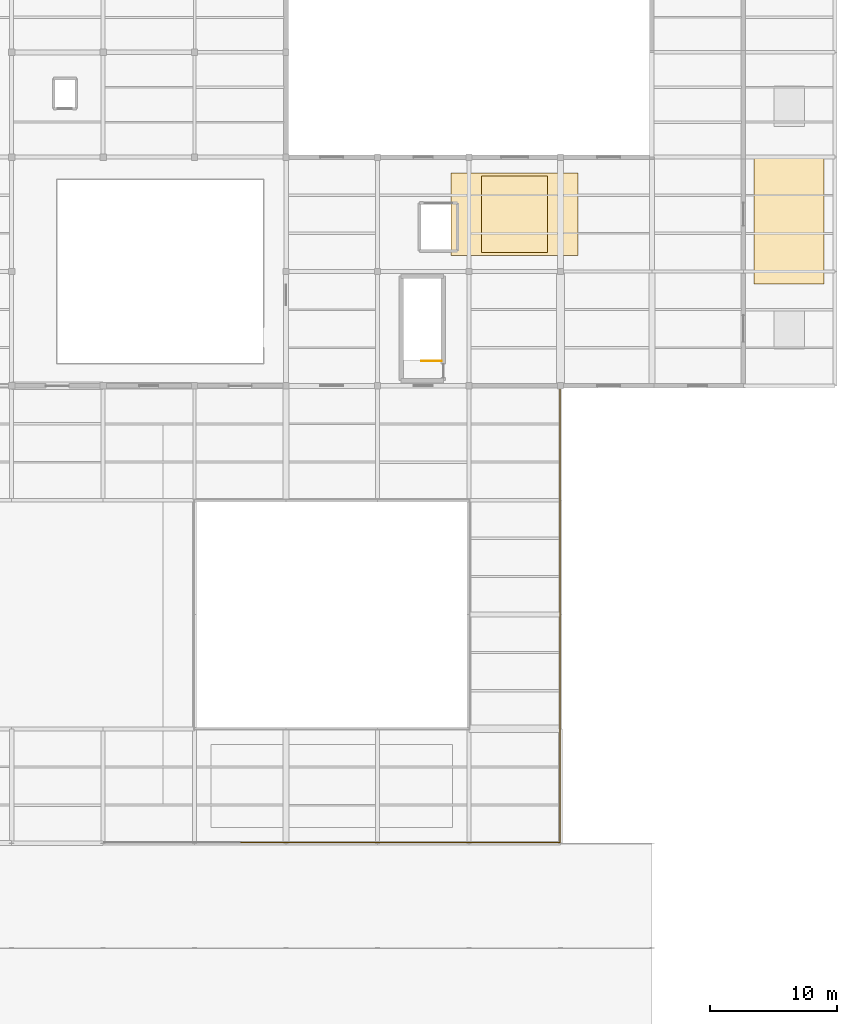
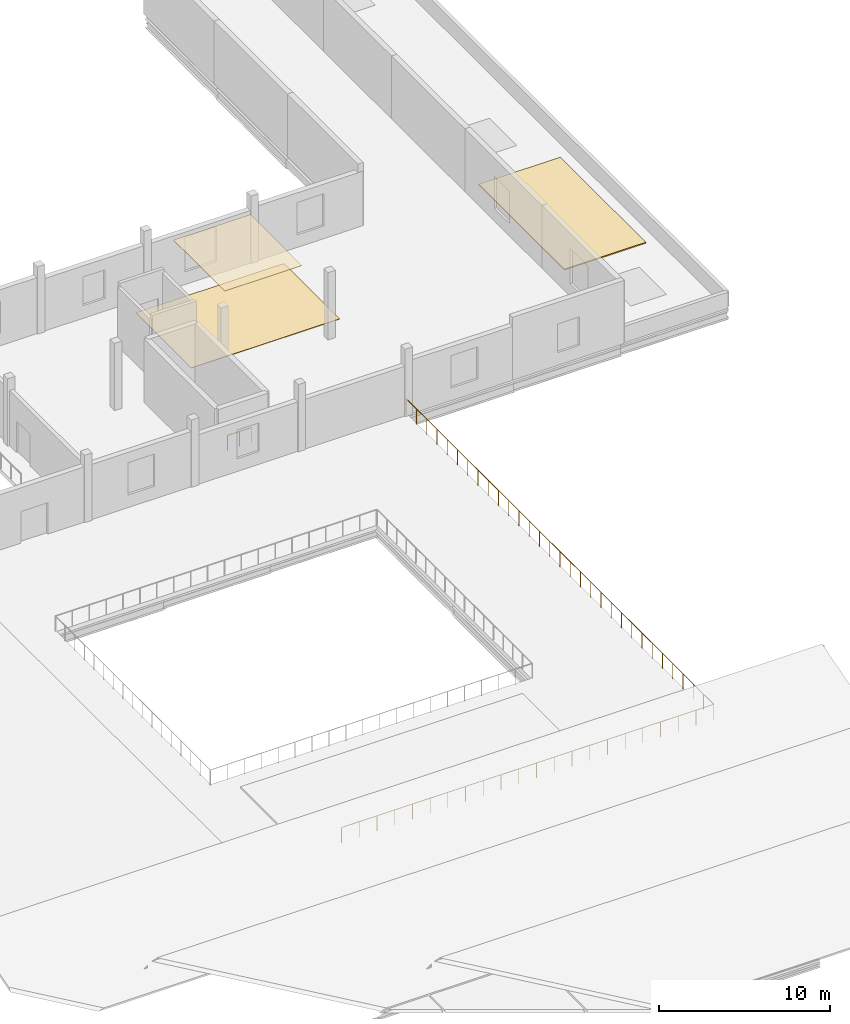
# One storey, part 54 of 54: 3 coverings, 2 railings.
"""IFC4 building model written with IfcOpenShell, lengths in metres."""

from ifc_helpers import new_model, si_unit, direction, frame, origin, origin_2d, place, context, subcontext, project, spatial, rectangle, circle, extrude, material, layer, layer_set, type_object, element, save


model = new_model("IFC4")

# Units and contexts
model_context = context("Model", 3, precision=1e-05, world=origin(), true_north=direction((0.0, 1.0)))
body_context = subcontext(model_context, "Body", "Model", "MODEL_VIEW")
ifc_project = project(units=[si_unit("LENGTHUNIT", "METRE"), si_unit("AREAUNIT", "SQUARE_METRE"), si_unit("VOLUMEUNIT", "CUBIC_METRE"), si_unit("PLANEANGLEUNIT", "RADIAN"), si_unit("MASSUNIT", "GRAM", prefix="KILO")], contexts=[model_context])

# Site, building, storey
site_placement = place(None, origin())
site = spatial("IfcSite", under=ifc_project, at=site_placement, CompositionType="ELEMENT")
building_placement = place(site_placement, origin())
building = spatial("IfcBuilding", under=site, at=building_placement, Name="Sundgate Opera House", CompositionType="ELEMENT")
storey_placement = place(building_placement, frame((0.0, 0.0, 16.800048828125)))
storey = spatial("IfcBuildingStorey", under=building, at=storey_placement, Name="L03", CompositionType="ELEMENT", Elevation=16.800048828125)

# Coverings
ifc_material_1 = material(Name="Acoustic gypsum plasterboard ceiling", Category="gypsum")
ifc_layer_1 = layer(ifc_material_1, 0.034912109375)
ifc_layer_set_1 = layer_set([ifc_layer_1], Name="Acoustic gypsum plasterboard ceiling")
covering_type_1 = type_object("IfcCoveringType", Name="CV-CEIL-GYP", PredefinedType="CEILING", material=ifc_layer_set_1)
covering_1_placement = place(storey_placement, frame((142.199951171875, 82.5, 4.48486328125), z_axis=(0.0, 0.0, 1.0), x_axis=(1.0, 0.0, 0.0)))
element("IfcCovering", 1, at=covering_1_placement, inside=storey, type_object=covering_type_1, Name="L03 Acoustic Ceiling CV0133", PredefinedType="CEILING", context=body_context, shape_type="SweptSolid", body=[
    extrude(rectangle(XDim=5.199951171875, YDim=6.0, at=origin_2d()), origin(), (0.0, 0.0, 1.0), 0.034912109375),
])
ifc_material_2 = material(Name="Sprung European oak stage and ballet floor", Category="wood")
ifc_layer_2 = layer(ifc_material_2, 0.030029296875)
ifc_layer_set_2 = layer_set([ifc_layer_2], Name="Sprung European oak stage and ballet floor")
covering_type_2 = type_object("IfcCoveringType", Name="CV-FLR-SPRUNG", PredefinedType="FLOORING", material=ifc_layer_set_2)
covering_2_placement = place(storey_placement, frame((142.199951171875, 82.5, 0.0), z_axis=(0.0, 0.0, 1.0), x_axis=(1.0, 0.0, 0.0)))
element("IfcCovering", 2, at=covering_2_placement, inside=storey, type_object=covering_type_2, Name="L03 Floor Finish CV0144", PredefinedType="FLOORING", context=body_context, shape_type="SweptSolid", body=[
    extrude(rectangle(XDim=10.0, YDim=6.5, at=origin_2d()), origin(), (0.0, 0.0, 1.0), 0.030029296875),
])
ifc_material_3 = material(Name="Glazed stoneware roof tile and waterproof membrane", Category="masonry")
ifc_layer_3 = layer(ifc_material_3, 0.080078125)
ifc_layer_set_3 = layer_set([ifc_layer_3], Name="Glazed stoneware roof tile and waterproof membrane")
covering_type_3 = type_object("IfcCoveringType", Name="CV-ROOF-CERAMIC", PredefinedType="ROOFING", material=ifc_layer_set_3)
covering_3_placement = place(storey_placement, frame((163.800048828125, 82.0, 0.0), z_axis=(0.0, 0.0, 1.0), x_axis=(1.0, 0.0, 0.0)))
element("IfcCovering", 3, at=covering_3_placement, inside=storey, type_object=covering_type_3, Name="L03 Roof Covering CV0122", PredefinedType="ROOFING", context=body_context, shape_type="SweptSolid", body=[
    extrude(rectangle(XDim=5.5, YDim=10.0, at=origin_2d()), origin(), (0.0, 0.0, 1.0), 0.080078125),
])

# Railings
ifc_material_4 = material(Name="Painted steel S275 guardrail", Category="steel")
railing_type_1 = type_object("IfcRailingType", Name="RL-STAIR-GUARD-1100", PredefinedType="GUARDRAIL", material=ifc_material_4)
railing_1_placement = place(storey_placement, frame((136.449951171875, 70.949951171875, 0.0)))
element("IfcRailing", 4, at=railing_1_placement, inside=storey, type_object=railing_type_1, Name="ST-06 Top Well Guardrail RL0231", PredefinedType="GUARDRAIL", context=body_context, shape_type="SweptSolid", body=[
    extrude(circle(Radius=0.02392578125, at=origin_2d()), frame((0.0, 0.0, 1.076171875), z_axis=(-1.0, 0.0, 0.0), x_axis=(0.0, -1.0, 0.0)), (0.0, 0.0, 1.0), 1.599853515625),
    extrude(circle(Radius=0.02099609375, at=origin_2d()), origin(), (0.0, 0.0, 1.0), 1.052001953125),
    extrude(circle(Radius=0.02099609375, at=origin_2d()), frame((-0.7998046875, 0.0, 0.0)), (0.0, 0.0, 1.0), 1.052001953125),
    extrude(circle(Radius=0.02099609375, at=origin_2d()), frame((-1.599853515625, 0.0, 0.0)), (0.0, 0.0, 1.0), 1.052001953125),
])
ifc_material_5 = material(Name="Patinated bronze guardrail", Category="steel")
railing_type_2 = type_object("IfcRailingType", Name="RL-TERR-GUARD-1100", PredefinedType="GUARDRAIL", material=ifc_material_5)
railing_2_placement = place(storey_placement, frame((120.64990234375, 33.050048828125, 0.0)))
element("IfcRailing", 5, at=railing_2_placement, inside=storey, type_object=railing_type_2, Name="L03 Studio Roof Garden Guardrail RL0007", PredefinedType="GUARDRAIL", context=body_context, shape_type="SweptSolid", body=[
    extrude(circle(Radius=0.02392578125, at=origin_2d()), frame((0.0, 0.0, 1.076171875), z_axis=(1.0, 0.0, 0.0), x_axis=(0.0, 1.0, 0.0)), (0.0, 0.0, 1.0), 25.10009765625),
    extrude(circle(Radius=0.02392578125, at=origin_2d()), frame((25.10009765625, 0.0, 1.076171875), z_axis=(0.0, 1.0, 0.0), x_axis=(-1.0, 0.0, 0.0)), (0.0, 0.0, 1.0), 35.89990234375),
    extrude(circle(Radius=0.02099609375, at=origin_2d()), origin(), (0.0, 0.0, 1.0), 1.052001953125),
    extrude(circle(Radius=0.02099609375, at=origin_2d()), frame((1.1953125, 0.0, 0.0)), (0.0, 0.0, 1.0), 1.052001953125),
    extrude(circle(Radius=0.02099609375, at=origin_2d()), frame((2.390380859375, 0.0, 0.0)), (0.0, 0.0, 1.0), 1.052001953125),
    extrude(circle(Radius=0.02099609375, at=origin_2d()), frame((3.585693359375, 0.0, 0.0)), (0.0, 0.0, 1.0), 1.052001953125),
    extrude(circle(Radius=0.02099609375, at=origin_2d()), frame((4.781005859375, 0.0, 0.0)), (0.0, 0.0, 1.0), 1.052001953125),
    extrude(circle(Radius=0.02099609375, at=origin_2d()), frame((5.976318359375, 0.0, 0.0)), (0.0, 0.0, 1.0), 1.052001953125),
    extrude(circle(Radius=0.02099609375, at=origin_2d()), frame((7.17138671875, 0.0, 0.0)), (0.0, 0.0, 1.0), 1.052001953125),
    extrude(circle(Radius=0.02099609375, at=origin_2d()), frame((8.36669921875, 0.0, 0.0)), (0.0, 0.0, 1.0), 1.052001953125),
    extrude(circle(Radius=0.02099609375, at=origin_2d()), frame((9.56201171875, 0.0, 0.0)), (0.0, 0.0, 1.0), 1.052001953125),
    extrude(circle(Radius=0.02099609375, at=origin_2d()), frame((10.757080078125, 0.0, 0.0)), (0.0, 0.0, 1.0), 1.052001953125),
    extrude(circle(Radius=0.02099609375, at=origin_2d()), frame((11.952392578125, 0.0, 0.0)), (0.0, 0.0, 1.0), 1.052001953125),
    extrude(circle(Radius=0.02099609375, at=origin_2d()), frame((13.147705078125, 0.0, 0.0)), (0.0, 0.0, 1.0), 1.052001953125),
    extrude(circle(Radius=0.02099609375, at=origin_2d()), frame((14.343017578125, 0.0, 0.0)), (0.0, 0.0, 1.0), 1.052001953125),
    extrude(circle(Radius=0.02099609375, at=origin_2d()), frame((15.5380859375, 0.0, 0.0)), (0.0, 0.0, 1.0), 1.052001953125),
    extrude(circle(Radius=0.02099609375, at=origin_2d()), frame((16.7333984375, 0.0, 0.0)), (0.0, 0.0, 1.0), 1.052001953125),
    extrude(circle(Radius=0.02099609375, at=origin_2d()), frame((17.9287109375, 0.0, 0.0)), (0.0, 0.0, 1.0), 1.052001953125),
    extrude(circle(Radius=0.02099609375, at=origin_2d()), frame((19.123779296875, 0.0, 0.0)), (0.0, 0.0, 1.0), 1.052001953125),
    extrude(circle(Radius=0.02099609375, at=origin_2d()), frame((20.319091796875, 0.0, 0.0)), (0.0, 0.0, 1.0), 1.052001953125),
    extrude(circle(Radius=0.02099609375, at=origin_2d()), frame((21.514404296875, 0.0, 0.0)), (0.0, 0.0, 1.0), 1.052001953125),
    extrude(circle(Radius=0.02099609375, at=origin_2d()), frame((22.709716796875, 0.0, 0.0)), (0.0, 0.0, 1.0), 1.052001953125),
    extrude(circle(Radius=0.02099609375, at=origin_2d()), frame((23.90478515625, 0.0, 0.0)), (0.0, 0.0, 1.0), 1.052001953125),
    extrude(circle(Radius=0.02099609375, at=origin_2d()), frame((25.10009765625, 0.0, 0.0)), (0.0, 0.0, 1.0), 1.052001953125),
    extrude(circle(Radius=0.02099609375, at=origin_2d()), frame((25.10009765625, 1.19677734375, 0.0)), (0.0, 0.0, 1.0), 1.052001953125),
    extrude(circle(Radius=0.02099609375, at=origin_2d()), frame((25.10009765625, 2.393310546875, 0.0)), (0.0, 0.0, 1.0), 1.052001953125),
    extrude(circle(Radius=0.02099609375, at=origin_2d()), frame((25.10009765625, 3.590087890625, 0.0)), (0.0, 0.0, 1.0), 1.052001953125),
    extrude(circle(Radius=0.02099609375, at=origin_2d()), frame((25.10009765625, 4.78662109375, 0.0)), (0.0, 0.0, 1.0), 1.052001953125),
    extrude(circle(Radius=0.02099609375, at=origin_2d()), frame((25.10009765625, 5.9833984375, 0.0)), (0.0, 0.0, 1.0), 1.052001953125),
    extrude(circle(Radius=0.02099609375, at=origin_2d()), frame((25.10009765625, 7.179931640625, 0.0)), (0.0, 0.0, 1.0), 1.052001953125),
    extrude(circle(Radius=0.02099609375, at=origin_2d()), frame((25.10009765625, 8.376708984375, 0.0)), (0.0, 0.0, 1.0), 1.052001953125),
    extrude(circle(Radius=0.02099609375, at=origin_2d()), frame((25.10009765625, 9.5732421875, 0.0)), (0.0, 0.0, 1.0), 1.052001953125),
    extrude(circle(Radius=0.02099609375, at=origin_2d()), frame((25.10009765625, 10.77001953125, 0.0)), (0.0, 0.0, 1.0), 1.052001953125),
    extrude(circle(Radius=0.02099609375, at=origin_2d()), frame((25.10009765625, 11.966552734375, 0.0)), (0.0, 0.0, 1.0), 1.052001953125),
    extrude(circle(Radius=0.02099609375, at=origin_2d()), frame((25.10009765625, 13.163330078125, 0.0)), (0.0, 0.0, 1.0), 1.052001953125),
    extrude(circle(Radius=0.02099609375, at=origin_2d()), frame((25.10009765625, 14.35986328125, 0.0)), (0.0, 0.0, 1.0), 1.052001953125),
    extrude(circle(Radius=0.02099609375, at=origin_2d()), frame((25.10009765625, 15.556640625, 0.0)), (0.0, 0.0, 1.0), 1.052001953125),
    extrude(circle(Radius=0.02099609375, at=origin_2d()), frame((25.10009765625, 16.753173828125, 0.0)), (0.0, 0.0, 1.0), 1.052001953125),
    extrude(circle(Radius=0.02099609375, at=origin_2d()), frame((25.10009765625, 17.949951171875, 0.0)), (0.0, 0.0, 1.0), 1.052001953125),
    extrude(circle(Radius=0.02099609375, at=origin_2d()), frame((25.10009765625, 19.146728515625, 0.0)), (0.0, 0.0, 1.0), 1.052001953125),
    extrude(circle(Radius=0.02099609375, at=origin_2d()), frame((25.10009765625, 20.34326171875, 0.0)), (0.0, 0.0, 1.0), 1.052001953125),
    extrude(circle(Radius=0.02099609375, at=origin_2d()), frame((25.10009765625, 21.5400390625, 0.0)), (0.0, 0.0, 1.0), 1.052001953125),
    extrude(circle(Radius=0.02099609375, at=origin_2d()), frame((25.10009765625, 22.736572265625, 0.0)), (0.0, 0.0, 1.0), 1.052001953125),
    extrude(circle(Radius=0.02099609375, at=origin_2d()), frame((25.10009765625, 23.933349609375, 0.0)), (0.0, 0.0, 1.0), 1.052001953125),
    extrude(circle(Radius=0.02099609375, at=origin_2d()), frame((25.10009765625, 25.1298828125, 0.0)), (0.0, 0.0, 1.0), 1.052001953125),
    extrude(circle(Radius=0.02099609375, at=origin_2d()), frame((25.10009765625, 26.32666015625, 0.0)), (0.0, 0.0, 1.0), 1.052001953125),
    extrude(circle(Radius=0.02099609375, at=origin_2d()), frame((25.10009765625, 27.523193359375, 0.0)), (0.0, 0.0, 1.0), 1.052001953125),
    extrude(circle(Radius=0.02099609375, at=origin_2d()), frame((25.10009765625, 28.719970703125, 0.0)), (0.0, 0.0, 1.0), 1.052001953125),
    extrude(circle(Radius=0.02099609375, at=origin_2d()), frame((25.10009765625, 29.91650390625, 0.0)), (0.0, 0.0, 1.0), 1.052001953125),
    extrude(circle(Radius=0.02099609375, at=origin_2d()), frame((25.10009765625, 31.11328125, 0.0)), (0.0, 0.0, 1.0), 1.052001953125),
    extrude(circle(Radius=0.02099609375, at=origin_2d()), frame((25.10009765625, 32.309814453125, 0.0)), (0.0, 0.0, 1.0), 1.052001953125),
    extrude(circle(Radius=0.02099609375, at=origin_2d()), frame((25.10009765625, 33.506591796875, 0.0)), (0.0, 0.0, 1.0), 1.052001953125),
    extrude(circle(Radius=0.02099609375, at=origin_2d()), frame((25.10009765625, 34.703125, 0.0)), (0.0, 0.0, 1.0), 1.052001953125),
    extrude(circle(Radius=0.02099609375, at=origin_2d()), frame((25.10009765625, 35.89990234375, 0.0)), (0.0, 0.0, 1.0), 1.052001953125),
])

save(model, "model.ifc")
